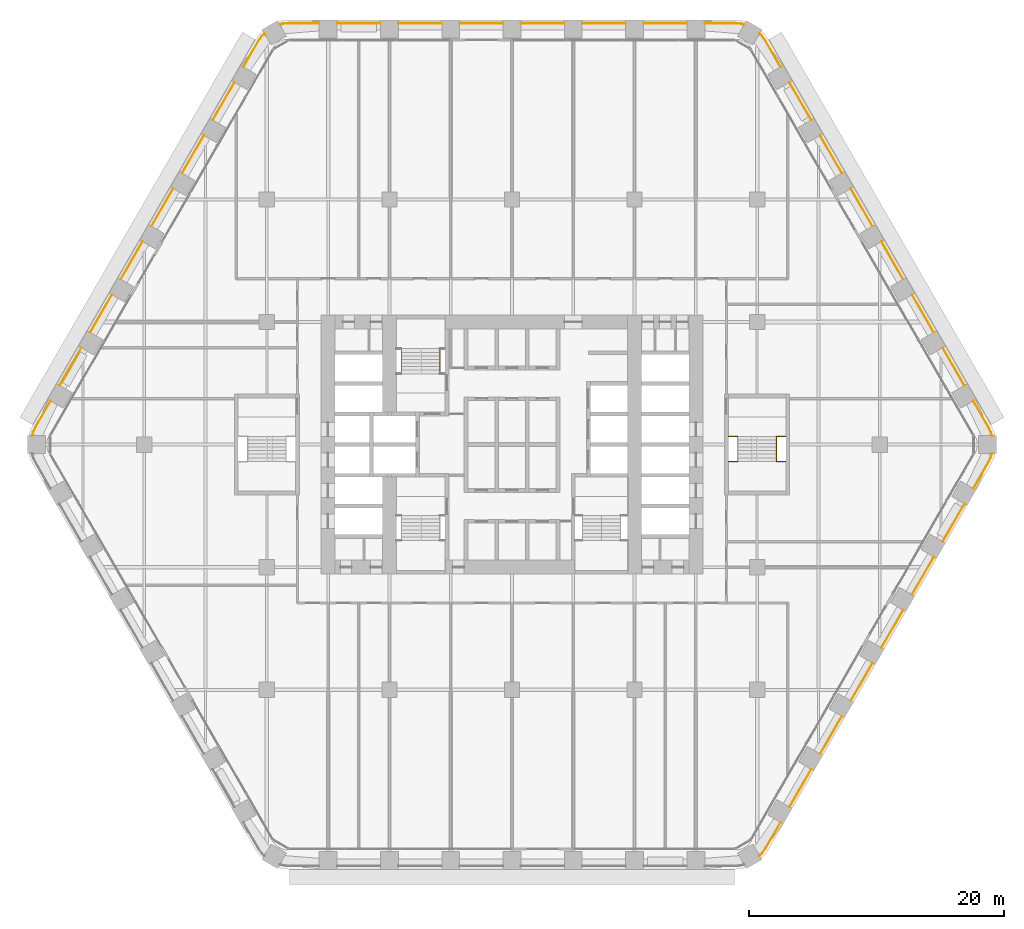
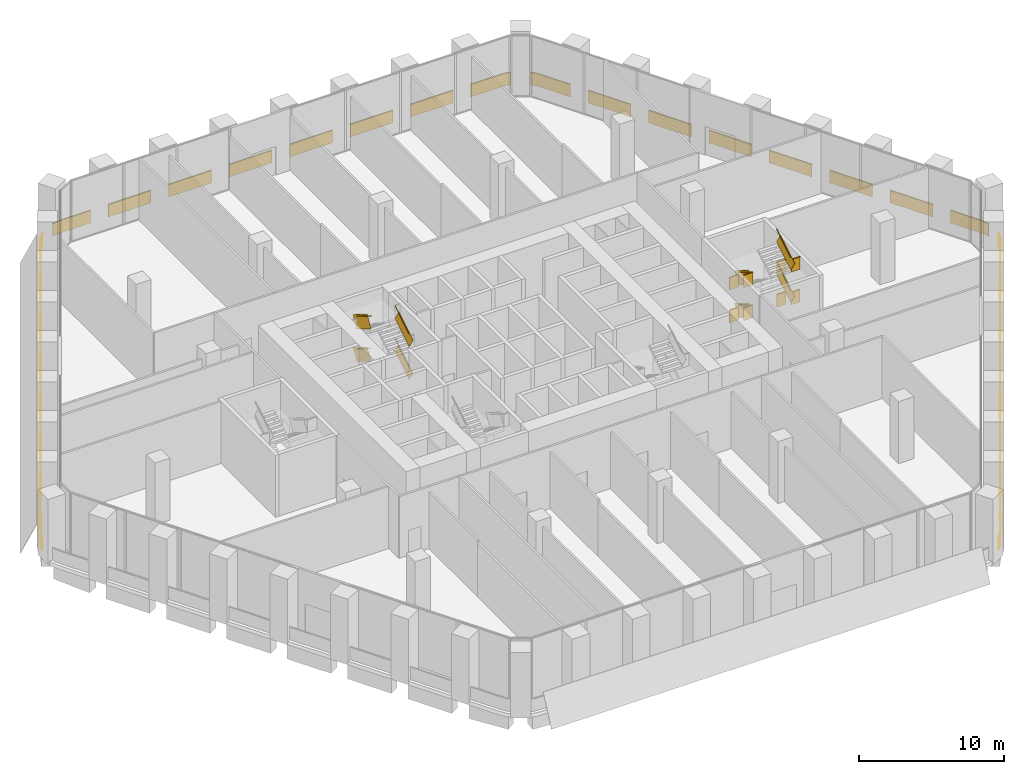
# One storey, part 27 of 27: 7 railings.
"""IFC4 building model written with IfcOpenShell, lengths in metres."""

import ifcopenshell
import ifcopenshell.guid

model = None  # the IFC model being written
_history = None  # IfcOwnerHistory: only IFC2X3 demands one
_inside = {}  # id of a spatial element -> (the spatial element, [elements in it])
_under = {}  # id of a project, library or spatial element -> (it, [spatial elements below it])
_declared = {}  # id of a project -> (the project, [libraries it declares])
_typed = {}  # id of a type object -> (the type object, [elements of that type])
_made_of = {}  # id of a material, layer set ... -> (it, [elements and type objects made of it])


def new_model(schema):
    """Start an empty IFC model of exactly this schema.

    Asked for "IFC4X3", IfcOpenShell would pick the latest addendum, in which some entities
    have other attributes; the version numbers below select the first issue.
    IFC2X3 requires an IfcOwnerHistory on every rooted entity: one is made here for all.
    """
    global model, _history
    if schema == "IFC4X3":
        model = ifcopenshell.file(schema_version=(4, 3, 0, 0))
    else:
        model = ifcopenshell.file(schema=schema)
    _inside.clear()
    _under.clear()
    _declared.clear()
    _typed.clear()
    _made_of.clear()
    _history = None
    if model.schema == "IFC2X3":
        org = make("IfcOrganization", Name="unknown")
        user = make(
            "IfcPersonAndOrganization",
            ThePerson=make("IfcPerson", FamilyName="unknown"),
            TheOrganization=org,
        )
        app = make(
            "IfcApplication",
            ApplicationDeveloper=org,
            Version="unknown",
            ApplicationFullName="unknown",
            ApplicationIdentifier="unknown",
        )
        _history = make(
            "IfcOwnerHistory",
            OwningUser=user,
            OwningApplication=app,
            ChangeAction="ADDED",
            CreationDate=0,
        )
    return model


def make(cls, **values):
    """One entity of the class cls with the attributes given. An attribute that is None is left unset."""
    return model.create_entity(
        cls, **{name: value for name, value in values.items() if value is not None}
    )


def rooted(cls, **values):
    """An entity with a GlobalId (a new one), such as an element, a storey or a relation."""
    return make(cls, GlobalId=ifcopenshell.guid.new(), OwnerHistory=_history, **values)


def si_unit(unit_type, name, prefix=None):
    """IfcSIUnit, for example si_unit("LENGTHUNIT", "METRE", prefix="MILLI")."""
    return make("IfcSIUnit", UnitType=unit_type, Prefix=prefix, Name=name)


def assignment(units):
    """IfcUnitAssignment: the units of a project."""
    return None if units is None else make("IfcUnitAssignment", Units=units)


def point(xyz):
    """IfcCartesianPoint."""
    return None if xyz is None else make("IfcCartesianPoint", Coordinates=xyz)


def direction(xyz):
    """IfcDirection."""
    return None if xyz is None else make("IfcDirection", DirectionRatios=xyz)


def frame(location, z_axis=None, x_axis=None):
    """IfcAxis2Placement3D, a coordinate frame: its origin and axes. An axis left out is left unset."""
    return make(
        "IfcAxis2Placement3D",
        Location=point(location),
        Axis=direction(z_axis),
        RefDirection=direction(x_axis),
    )


def frame_2d(location, x_axis=None):
    """IfcAxis2Placement2D, a coordinate frame in the plane: its origin and x axis."""
    return make(
        "IfcAxis2Placement2D", Location=point(location), RefDirection=direction(x_axis)
    )


def origin():
    """The frame at (0, 0, 0) with its axes left unset."""
    return frame((0.0, 0.0, 0.0))


def origin_2d():
    """The frame at (0, 0) in the plane with its x axis left unset."""
    return frame_2d((0.0, 0.0))


def place(relative_to, where):
    """IfcLocalPlacement: puts the frame where relative to a parent placement (None: the world)."""
    return make(
        "IfcLocalPlacement", PlacementRelTo=relative_to, RelativePlacement=where
    )


def context(
    kind, dimensions, precision=None, world=None, true_north=None, identifier=None
):
    """IfcGeometricRepresentationContext, for example the 3D "Model" context."""
    return make(
        "IfcGeometricRepresentationContext",
        ContextIdentifier=identifier,
        ContextType=kind,
        CoordinateSpaceDimension=dimensions,
        Precision=precision,
        WorldCoordinateSystem=world,
        TrueNorth=true_north,
    )


def subcontext(parent, identifier, kind, view, scale=None):
    """IfcGeometricRepresentationSubContext, for example "Body" below "Model"."""
    return make(
        "IfcGeometricRepresentationSubContext",
        ContextIdentifier=identifier,
        ContextType=kind,
        ParentContext=parent,
        TargetScale=scale,
        TargetView=view,
    )


def project(units=None, contexts=None):
    """IfcProject with its units and contexts."""
    return rooted(
        "IfcProject",
        Name="project",
        RepresentationContexts=contexts,
        UnitsInContext=assignment(units),
    )


def spatial(cls, under=None, at=None, **own):
    """A site, building, storey or space (cls), placed at a placement, below another one or the project."""
    s = rooted(cls, ObjectPlacement=at, **own)
    if under is not None:
        _under.setdefault(under.id(), (under, []))[1].append(s)
    return s


def profile(cls, at=None, kind="AREA", **sizes):
    """A parametric profile (cls). Its sizes go by their IFC names, for example OverallWidth=200.0."""
    return make(cls, ProfileType=kind, Position=at, **sizes)


def rectangle(**sizes):
    """IfcRectangleProfileDef."""
    return profile("IfcRectangleProfileDef", **sizes)


def extrude(swept, where, along, depth):
    """IfcExtrudedAreaSolid: the profile swept, set in the frame where, extruded along a direction by depth."""
    return make(
        "IfcExtrudedAreaSolid",
        SweptArea=swept,
        Position=where,
        ExtrudedDirection=direction(along),
        Depth=depth,
    )


def shape(context_of_items, identifier, shape_type, items):
    """IfcShapeRepresentation: the items that make up one representation, for example the "Body"."""
    return make(
        "IfcShapeRepresentation",
        ContextOfItems=context_of_items,
        RepresentationIdentifier=identifier,
        RepresentationType=shape_type,
        Items=items,
    )


def material(Name=None, Category=None):
    """IfcMaterial."""
    return make("IfcMaterial", Name=Name, Category=Category)


def made_of(thing, what):
    """Note that an element or type object is made of a material, layer set ...; save() writes the relation."""
    if what is not None:
        _made_of.setdefault(what.id(), (what, []))[1].append(thing)
    return thing


def type_object(cls, material=None, **own):
    """A type object (cls), such as IfcWallType, which elements share."""
    return made_of(rooted(cls, **own), material)


def element(
    cls,
    number,
    at=None,
    inside=None,
    cuts=None,
    type_object=None,
    material=None,
    context=None,
    identifier="Body",
    shape_type=None,
    held_by="IfcProductDefinitionShape",
    body=None,
    shapes=None,
    **own,
):
    """One element of the class cls, such as IfcWall. Its Tag is "e" and its number.

    at: its placement. inside: the storey or other place that contains it. cuts: it is an
    opening in that element (IfcRelVoidsElement). A single representation is given by context,
    identifier, shape_type and body (its items); several are given by shapes. held_by: the class
    of the entity that holds the representations. save() writes the other relations.
    """
    e = rooted(cls, Tag="e%d" % number, ObjectPlacement=at, **own)
    if body is not None:
        shapes = [shape(context, identifier, shape_type, body)]
    if shapes is not None:
        e.Representation = make(held_by, Representations=shapes)
    if inside is not None:
        _inside.setdefault(inside.id(), (inside, []))[1].append(e)
    if cuts is not None:
        rooted(
            "IfcRelVoidsElement", RelatingBuildingElement=cuts, RelatedOpeningElement=e
        )
    if type_object is not None:
        _typed.setdefault(type_object.id(), (type_object, []))[1].append(e)
    return made_of(e, material)


def aggregate(whole, parts):
    """IfcRelAggregates: a whole, such as a stair, and the parts it consists of."""
    return rooted("IfcRelAggregates", RelatingObject=whole, RelatedObjects=parts)


def save(model, path):
    """Write the relations noted so far, then the file.

    IfcRelAggregates (storeys below a building ...), IfcRelContainedInSpatialStructure (elements
    in a storey), IfcRelDefinesByType, IfcRelAssociatesMaterial and IfcRelDeclares: one each for
    every whole, place, type object, material and project.
    """
    for whole, parts in _under.values():
        aggregate(whole, parts)
    for where, things in _inside.values():
        rooted(
            "IfcRelContainedInSpatialStructure",
            RelatedElements=things,
            RelatingStructure=where,
        )
    for kind, things in _typed.values():
        rooted("IfcRelDefinesByType", RelatedObjects=things, RelatingType=kind)
    for what, things in _made_of.values():
        rooted("IfcRelAssociatesMaterial", RelatedObjects=things, RelatingMaterial=what)
    for by, libraries in _declared.values():
        rooted("IfcRelDeclares", RelatingContext=by, RelatedDefinitions=libraries)
    model.write(path)


model = new_model("IFC4")

# Units and contexts
model_context = context("Model", 3, precision=1e-05, world=origin(), true_north=direction((0.0, 1.0)))
body_context = subcontext(model_context, "Body", "Model", "MODEL_VIEW")
ifc_project = project(units=[si_unit("LENGTHUNIT", "METRE"), si_unit("AREAUNIT", "SQUARE_METRE"), si_unit("VOLUMEUNIT", "CUBIC_METRE"), si_unit("PLANEANGLEUNIT", "RADIAN"), si_unit("MASSUNIT", "GRAM", prefix="KILO")], contexts=[model_context])

# Site, building, storey
site_placement = place(None, origin())
site = spatial("IfcSite", under=ifc_project, at=site_placement, CompositionType="ELEMENT")
building_placement = place(site_placement, origin())
building = spatial("IfcBuilding", under=site, at=building_placement, Name="Kolab Exchange Tower", CompositionType="ELEMENT")
storey_placement = place(building_placement, frame((0.0, 0.0, 66.39990234375)))
storey = spatial("IfcBuildingStorey", under=building, at=storey_placement, Name="L12", CompositionType="ELEMENT", Elevation=66.39990234375)

# Railings
ifc_material_1 = material(Name="Stainless steel 316", Category="steel")
railing_type_1 = type_object("IfcRailingType", Name="GUARD 1100", PredefinedType="GUARDRAIL", material=ifc_material_1)
railing_1_placement = place(storey_placement, frame((-5.639892578125, 5.550048828125, 0.172119140625)))
element("IfcRailing", 1, at=railing_1_placement, inside=storey, type_object=railing_type_1, Name="Handrail guard ST1", PredefinedType="GUARDRAIL", context=body_context, shape_type="SweptSolid", body=[
    extrude(rectangle(XDim=0.05, YDim=0.05, at=origin_2d()), frame((0.0, 0.0, 1.0751953125), z_axis=(0.0, 0.852288308005, 0.523072308613), x_axis=(-1.0, 0.0, 0.0)), (0.0, 0.0, 1.0), 2.299560546875),
    extrude(rectangle(XDim=0.012, YDim=1.05009765625, at=frame_2d((0.0, 0.525146484375))), frame((0.0, 0.0, 0.0), z_axis=(0.0, 0.852288308005, 0.523072308613), x_axis=(-1.0, 0.0, 0.0)), (0.0, 0.0, 1.0), 2.299560546875),
    extrude(rectangle(XDim=0.05, YDim=0.05, at=origin_2d()), frame((-3.02001953125, 1.9599609375, 2.4501953125), z_axis=(0.0, -0.852288308005, 0.523072308613), x_axis=(1.0, 0.0, 0.0)), (0.0, 0.0, 1.0), 2.299560546875),
    extrude(rectangle(XDim=0.012, YDim=1.05009765625, at=frame_2d((0.0, 0.525146484375))), frame((-3.02001953125, 1.9599609375, 1.375), z_axis=(0.0, -0.852288308005, 0.523072308613), x_axis=(1.0, 0.0, 0.0)), (0.0, 0.0, 1.0), 2.299560546875),
    extrude(rectangle(XDim=0.05, YDim=0.05, at=origin_2d()), frame((0.0, 0.0, 3.8251953125), z_axis=(0.0, 0.852288308005, 0.523072308613), x_axis=(-1.0, 0.0, 0.0)), (0.0, 0.0, 1.0), 2.299560546875),
    extrude(rectangle(XDim=0.012, YDim=1.05009765625, at=frame_2d((0.0, 0.525146484375))), frame((0.0, 0.0, 2.75), z_axis=(0.0, 0.852288308005, 0.523072308613), x_axis=(-1.0, 0.0, 0.0)), (0.0, 0.0, 1.0), 2.299560546875),
    extrude(rectangle(XDim=0.05, YDim=0.05, at=origin_2d()), frame((-3.02001953125, 1.9599609375, 5.2001953125), z_axis=(0.0, -0.852288308005, 0.523072308613), x_axis=(1.0, 0.0, 0.0)), (0.0, 0.0, 1.0), 2.299560546875),
    extrude(rectangle(XDim=0.012, YDim=1.05009765625, at=frame_2d((0.0, 0.525146484375))), frame((-3.02001953125, 1.9599609375, 4.125), z_axis=(0.0, -0.852288308005, 0.523072308613), x_axis=(1.0, 0.0, 0.0)), (0.0, 0.0, 1.0), 2.299560546875),
])
railing_2_placement = place(storey_placement, frame((16.949951171875, 0.64990234375, 0.0)))
element("IfcRailing", 2, at=railing_2_placement, inside=storey, type_object=railing_type_1, Name="Guard ST4", PredefinedType="GUARDRAIL", context=body_context, shape_type="SweptSolid", body=[
    extrude(rectangle(XDim=0.05, YDim=0.05, at=origin_2d()), frame((0.0, 0.0, 1.0751953125), z_axis=(1.0, 0.0, 0.0), x_axis=(0.0, 1.0, 0.0)), (0.0, 0.0, 1.0), 0.739990234375),
    extrude(rectangle(XDim=0.012, YDim=1.05009765625, at=frame_2d((0.0, 0.525146484375))), frame((0.0, 0.0, 0.0), z_axis=(1.0, 0.0, 0.0), x_axis=(0.0, 1.0, 0.0)), (0.0, 0.0, 1.0), 0.739990234375),
    extrude(rectangle(XDim=0.05, YDim=0.05, at=origin_2d()), frame((3.760009765625, 0.0, 1.0751953125), z_axis=(1.0, 0.0, 0.0), x_axis=(0.0, 1.0, 0.0)), (0.0, 0.0, 1.0), 0.739990234375),
    extrude(rectangle(XDim=0.012, YDim=1.05009765625, at=frame_2d((0.0, 0.525146484375))), frame((3.760009765625, 0.0, 0.0), z_axis=(1.0, 0.0, 0.0), x_axis=(0.0, 1.0, 0.0)), (0.0, 0.0, 1.0), 0.739990234375),
    extrude(rectangle(XDim=0.05, YDim=0.05, at=origin_2d()), frame((0.0, -1.9599609375, 2.4501953125), z_axis=(1.0, 0.0, 0.0), x_axis=(0.0, 1.0, 0.0)), (0.0, 0.0, 1.0), 0.739990234375),
    extrude(rectangle(XDim=0.012, YDim=1.05009765625, at=frame_2d((0.0, 0.525146484375))), frame((0.0, -1.9599609375, 1.375), z_axis=(1.0, 0.0, 0.0), x_axis=(0.0, 1.0, 0.0)), (0.0, 0.0, 1.0), 0.739990234375),
    extrude(rectangle(XDim=0.05, YDim=0.05, at=origin_2d()), frame((3.760009765625, -1.9599609375, 2.4501953125), z_axis=(1.0, 0.0, 0.0), x_axis=(0.0, 1.0, 0.0)), (0.0, 0.0, 1.0), 0.739990234375),
    extrude(rectangle(XDim=0.012, YDim=1.05009765625, at=frame_2d((0.0, 0.525146484375))), frame((3.760009765625, -1.9599609375, 1.375), z_axis=(1.0, 0.0, 0.0), x_axis=(0.0, 1.0, 0.0)), (0.0, 0.0, 1.0), 0.739990234375),
    extrude(rectangle(XDim=0.05, YDim=0.05, at=origin_2d()), frame((0.0, 0.0, 3.8251953125), z_axis=(1.0, 0.0, 0.0), x_axis=(0.0, 1.0, 0.0)), (0.0, 0.0, 1.0), 0.739990234375),
    extrude(rectangle(XDim=0.012, YDim=1.05009765625, at=frame_2d((0.0, 0.525146484375))), frame((0.0, 0.0, 2.75), z_axis=(1.0, 0.0, 0.0), x_axis=(0.0, 1.0, 0.0)), (0.0, 0.0, 1.0), 0.739990234375),
    extrude(rectangle(XDim=0.05, YDim=0.05, at=origin_2d()), frame((3.760009765625, 0.0, 3.8251953125), z_axis=(1.0, 0.0, 0.0), x_axis=(0.0, 1.0, 0.0)), (0.0, 0.0, 1.0), 0.739990234375),
    extrude(rectangle(XDim=0.012, YDim=1.05009765625, at=frame_2d((0.0, 0.525146484375))), frame((3.760009765625, 0.0, 2.75), z_axis=(1.0, 0.0, 0.0), x_axis=(0.0, 1.0, 0.0)), (0.0, 0.0, 1.0), 0.739990234375),
    extrude(rectangle(XDim=0.05, YDim=0.05, at=origin_2d()), frame((0.0, -1.9599609375, 5.2001953125), z_axis=(1.0, 0.0, 0.0), x_axis=(0.0, 1.0, 0.0)), (0.0, 0.0, 1.0), 0.739990234375),
    extrude(rectangle(XDim=0.012, YDim=1.05009765625, at=frame_2d((0.0, 0.525146484375))), frame((0.0, -1.9599609375, 4.125), z_axis=(1.0, 0.0, 0.0), x_axis=(0.0, 1.0, 0.0)), (0.0, 0.0, 1.0), 0.739990234375),
    extrude(rectangle(XDim=0.05, YDim=0.05, at=origin_2d()), frame((3.760009765625, -1.9599609375, 5.2001953125), z_axis=(1.0, 0.0, 0.0), x_axis=(0.0, 1.0, 0.0)), (0.0, 0.0, 1.0), 0.739990234375),
    extrude(rectangle(XDim=0.012, YDim=1.05009765625, at=frame_2d((0.0, 0.525146484375))), frame((3.760009765625, -1.9599609375, 4.125), z_axis=(1.0, 0.0, 0.0), x_axis=(0.0, 1.0, 0.0)), (0.0, 0.0, 1.0), 0.739990234375),
])
railing_3_placement = place(storey_placement, frame((17.68994140625, 0.64990234375, 0.172119140625)))
element("IfcRailing", 3, at=railing_3_placement, inside=storey, type_object=railing_type_1, Name="Handrail guard ST4", PredefinedType="GUARDRAIL", context=body_context, shape_type="SweptSolid", body=[
    extrude(rectangle(XDim=0.05, YDim=0.05, at=origin_2d()), frame((0.0, 0.0, 1.0751953125), z_axis=(0.0, -0.852288308005, 0.523072308613), x_axis=(1.0, 0.0, 0.0)), (0.0, 0.0, 1.0), 2.299560546875),
    extrude(rectangle(XDim=0.012, YDim=1.05009765625, at=frame_2d((0.0, 0.525146484375))), frame((0.0, 0.0, 0.0), z_axis=(0.0, -0.852288308005, 0.523072308613), x_axis=(1.0, 0.0, 0.0)), (0.0, 0.0, 1.0), 2.299560546875),
    extrude(rectangle(XDim=0.05, YDim=0.05, at=origin_2d()), frame((3.02001953125, -1.9599609375, 2.4501953125), z_axis=(0.0, 0.852288308005, 0.523072308613), x_axis=(-1.0, 0.0, 0.0)), (0.0, 0.0, 1.0), 2.299560546875),
    extrude(rectangle(XDim=0.012, YDim=1.05009765625, at=frame_2d((0.0, 0.525146484375))), frame((3.02001953125, -1.9599609375, 1.375), z_axis=(0.0, 0.852288308005, 0.523072308613), x_axis=(-1.0, 0.0, 0.0)), (0.0, 0.0, 1.0), 2.299560546875),
    extrude(rectangle(XDim=0.05, YDim=0.05, at=origin_2d()), frame((0.0, 0.0, 3.8251953125), z_axis=(0.0, -0.852288308005, 0.523072308613), x_axis=(1.0, 0.0, 0.0)), (0.0, 0.0, 1.0), 2.299560546875),
    extrude(rectangle(XDim=0.012, YDim=1.05009765625, at=frame_2d((0.0, 0.525146484375))), frame((0.0, 0.0, 2.75), z_axis=(0.0, -0.852288308005, 0.523072308613), x_axis=(1.0, 0.0, 0.0)), (0.0, 0.0, 1.0), 2.299560546875),
    extrude(rectangle(XDim=0.05, YDim=0.05, at=origin_2d()), frame((3.02001953125, -1.9599609375, 5.2001953125), z_axis=(0.0, 0.852288308005, 0.523072308613), x_axis=(-1.0, 0.0, 0.0)), (0.0, 0.0, 1.0), 2.299560546875),
    extrude(rectangle(XDim=0.012, YDim=1.05009765625, at=frame_2d((0.0, 0.525146484375))), frame((3.02001953125, -1.9599609375, 4.125), z_axis=(0.0, 0.852288308005, 0.523072308613), x_axis=(-1.0, 0.0, 0.0)), (0.0, 0.0, 1.0), 2.299560546875),
])
ifc_material_2 = material(Name="Steel S235", Category="steel")
railing_type_2 = type_object("IfcRailingType", Name="GUARD 1100 GLASS BALUSTRADE AND STEEL TOP RAIL", PredefinedType="GUARDRAIL", material=ifc_material_2)
railing_4_placement = place(storey_placement, frame((18.1953125, 32.896728515625, 0.0)))
element("IfcRailing", 4, at=railing_4_placement, inside=storey, type_object=railing_type_2, Name="Guard", PredefinedType="GUARDRAIL", context=body_context, shape_type="SweptSolid", body=[
    extrude(rectangle(XDim=0.05, YDim=0.05, at=origin_2d()), frame((0.0, 0.0, 1.0751953125), z_axis=(-0.965952265455, 0.258720352624, 0.0), x_axis=(-0.258720352624, -0.965952265455, 0.0)), (0.0, 0.0, 1.0), 0.258544921875),
    extrude(rectangle(XDim=0.012, YDim=1.05009765625, at=frame_2d((0.0, 0.525146484375))), frame((0.0, 0.0, 0.0), z_axis=(-0.965952265455, 0.258720352624, 0.0), x_axis=(-0.258720352624, -0.965952265455, 0.0)), (0.0, 0.0, 1.0), 0.258544921875),
    extrude(rectangle(XDim=0.05, YDim=0.05, at=origin_2d()), frame((-0.249755859375, 0.06689453125, 1.0751953125), z_axis=(-0.996200348447, 0.087091134757, 0.0), x_axis=(-0.087091134757, -0.996200348447, 0.0)), (0.0, 0.0, 1.0), 0.479248046875),
    extrude(rectangle(XDim=0.012, YDim=1.05009765625, at=frame_2d((0.0, 0.525146484375))), frame((-0.249755859375, 0.06689453125, 0.0), z_axis=(-0.996200348447, 0.087091134757, 0.0), x_axis=(-0.087091134757, -0.996200348447, 0.0)), (0.0, 0.0, 1.0), 0.479248046875),
    extrude(rectangle(XDim=0.05, YDim=0.05, at=origin_2d()), frame((-0.727294921875, 0.108642578125, 1.0751953125), z_axis=(-1.0, 0.0, 0.0), x_axis=(0.0, -1.0, 0.0)), (0.0, 0.0, 1.0), 2.367919921875),
    extrude(rectangle(XDim=0.012, YDim=1.05009765625, at=frame_2d((0.0, 0.525146484375))), frame((-0.727294921875, 0.108642578125, 0.0), z_axis=(-1.0, 0.0, 0.0), x_axis=(0.0, -1.0, 0.0)), (0.0, 0.0, 1.0), 2.367919921875),
    extrude(rectangle(XDim=0.05, YDim=0.05, at=origin_2d()), frame((-4.495361328125, 0.108642578125, 1.0751953125), z_axis=(-1.0, 0.0, 0.0), x_axis=(0.0, -1.0, 0.0)), (0.0, 0.0, 1.0), 3.39990234375),
    extrude(rectangle(XDim=0.012, YDim=1.05009765625, at=frame_2d((0.0, 0.525146484375))), frame((-4.495361328125, 0.108642578125, 0.0), z_axis=(-1.0, 0.0, 0.0), x_axis=(0.0, -1.0, 0.0)), (0.0, 0.0, 1.0), 3.39990234375),
    extrude(rectangle(XDim=0.05, YDim=0.05, at=origin_2d()), frame((-9.29541015625, 0.108642578125, 1.0751953125), z_axis=(-1.0, 0.0, 0.0), x_axis=(0.0, -1.0, 0.0)), (0.0, 0.0, 1.0), 3.39990234375),
    extrude(rectangle(XDim=0.012, YDim=1.05009765625, at=frame_2d((0.0, 0.525146484375))), frame((-9.29541015625, 0.108642578125, 0.0), z_axis=(-1.0, 0.0, 0.0), x_axis=(0.0, -1.0, 0.0)), (0.0, 0.0, 1.0), 3.39990234375),
    extrude(rectangle(XDim=0.05, YDim=0.05, at=origin_2d()), frame((-14.09521484375, 0.108642578125, 1.0751953125), z_axis=(-1.0, 0.0, 0.0), x_axis=(0.0, -1.0, 0.0)), (0.0, 0.0, 1.0), 3.400146484375),
    extrude(rectangle(XDim=0.012, YDim=1.05009765625, at=frame_2d((0.0, 0.525146484375))), frame((-14.09521484375, 0.108642578125, 0.0), z_axis=(-1.0, 0.0, 0.0), x_axis=(0.0, -1.0, 0.0)), (0.0, 0.0, 1.0), 3.400146484375),
    extrude(rectangle(XDim=0.05, YDim=0.05, at=origin_2d()), frame((-18.895263671875, 0.108642578125, 1.0751953125), z_axis=(-1.0, 0.0, 0.0), x_axis=(0.0, -1.0, 0.0)), (0.0, 0.0, 1.0), 3.400146484375),
    extrude(rectangle(XDim=0.012, YDim=1.05009765625, at=frame_2d((0.0, 0.525146484375))), frame((-18.895263671875, 0.108642578125, 0.0), z_axis=(-1.0, 0.0, 0.0), x_axis=(0.0, -1.0, 0.0)), (0.0, 0.0, 1.0), 3.400146484375),
    extrude(rectangle(XDim=0.05, YDim=0.05, at=origin_2d()), frame((-23.6953125, 0.108642578125, 1.0751953125), z_axis=(-1.0, 0.0, 0.0), x_axis=(0.0, -1.0, 0.0)), (0.0, 0.0, 1.0), 3.39990234375),
    extrude(rectangle(XDim=0.012, YDim=1.05009765625, at=frame_2d((0.0, 0.525146484375))), frame((-23.6953125, 0.108642578125, 0.0), z_axis=(-1.0, 0.0, 0.0), x_axis=(0.0, -1.0, 0.0)), (0.0, 0.0, 1.0), 3.39990234375),
    extrude(rectangle(XDim=0.05, YDim=0.05, at=origin_2d()), frame((-28.495361328125, 0.108642578125, 1.0751953125), z_axis=(-1.0, 0.0, 0.0), x_axis=(0.0, -1.0, 0.0)), (0.0, 0.0, 1.0), 3.39990234375),
    extrude(rectangle(XDim=0.012, YDim=1.05009765625, at=frame_2d((0.0, 0.525146484375))), frame((-28.495361328125, 0.108642578125, 0.0), z_axis=(-1.0, 0.0, 0.0), x_axis=(0.0, -1.0, 0.0)), (0.0, 0.0, 1.0), 3.39990234375),
    extrude(rectangle(XDim=0.05, YDim=0.05, at=origin_2d()), frame((-33.29541015625, 0.108642578125, 1.0751953125), z_axis=(-1.0, 0.0, 0.0), x_axis=(0.0, -1.0, 0.0)), (0.0, 0.0, 1.0), 2.367919921875),
    extrude(rectangle(XDim=0.012, YDim=1.05009765625, at=frame_2d((0.0, 0.525146484375))), frame((-33.29541015625, 0.108642578125, 0.0), z_axis=(-1.0, 0.0, 0.0), x_axis=(0.0, -1.0, 0.0)), (0.0, 0.0, 1.0), 2.367919921875),
    extrude(rectangle(XDim=0.05, YDim=0.05, at=origin_2d()), frame((-35.663330078125, 0.108642578125, 1.0751953125), z_axis=(-0.996200348447, -0.087091134757, 0.0), x_axis=(0.087091134757, -0.996200348447, 0.0)), (0.0, 0.0, 1.0), 0.479248046875),
    extrude(rectangle(XDim=0.012, YDim=1.05009765625, at=frame_2d((0.0, 0.525146484375))), frame((-35.663330078125, 0.108642578125, 0.0), z_axis=(-0.996200348447, -0.087091134757, 0.0), x_axis=(0.087091134757, -0.996200348447, 0.0)), (0.0, 0.0, 1.0), 0.479248046875),
    extrude(rectangle(XDim=0.05, YDim=0.05, at=origin_2d()), frame((-36.140869140625, 0.06689453125, 1.0751953125), z_axis=(-0.965952265455, -0.258720352624, 0.0), x_axis=(0.258720352624, -0.965952265455, 0.0)), (0.0, 0.0, 1.0), 0.258544921875),
    extrude(rectangle(XDim=0.012, YDim=1.05009765625, at=frame_2d((0.0, 0.525146484375))), frame((-36.140869140625, 0.06689453125, 0.0), z_axis=(-0.965952265455, -0.258720352624, 0.0), x_axis=(0.258720352624, -0.965952265455, 0.0)), (0.0, 0.0, 1.0), 0.258544921875),
])
railing_5_placement = place(storey_placement, frame((37.5869140625, 0.690673828125, 0.0)))
element("IfcRailing", 5, at=railing_5_placement, inside=storey, type_object=railing_type_2, Name="Guard", PredefinedType="GUARDRAIL", context=body_context, shape_type="SweptSolid", body=[
    extrude(rectangle(XDim=0.05, YDim=0.05, at=origin_2d()), frame((0.0, 0.0, 1.0751953125), z_axis=(-0.258484584798, 0.966015382601, 0.0), x_axis=(-0.966015382601, -0.258484584798, 0.0)), (0.0, 0.0, 1.0), 0.2587890625),
    extrude(rectangle(XDim=0.012, YDim=1.05009765625, at=frame_2d((0.0, 0.525146484375))), frame((0.0, 0.0, 0.0), z_axis=(-0.258484584798, 0.966015382601, 0.0), x_axis=(-0.966015382601, -0.258484584798, 0.0)), (0.0, 0.0, 1.0), 0.2587890625),
    extrude(rectangle(XDim=0.05, YDim=0.05, at=origin_2d()), frame((-0.06689453125, 0.25, 1.0751953125), z_axis=(-0.422801802984, 0.906222177721, 0.0), x_axis=(-0.906222177721, -0.422801802984, 0.0)), (0.0, 0.0, 1.0), 0.479248046875),
    extrude(rectangle(XDim=0.012, YDim=1.05009765625, at=frame_2d((0.0, 0.525146484375))), frame((-0.06689453125, 0.25, 0.0), z_axis=(-0.422801802984, 0.906222177721, 0.0), x_axis=(-0.906222177721, -0.422801802984, 0.0)), (0.0, 0.0, 1.0), 0.479248046875),
    extrude(rectangle(XDim=0.05, YDim=0.05, at=origin_2d()), frame((-0.26953125, 0.684326171875, 1.0751953125), z_axis=(-0.499942602326, 0.866058539811, 0.0), x_axis=(-0.866058539811, -0.499942602326, 0.0)), (0.0, 0.0, 1.0), 2.367919921875),
    extrude(rectangle(XDim=0.012, YDim=1.05009765625, at=frame_2d((0.0, 0.525146484375))), frame((-0.26953125, 0.684326171875, 0.0), z_axis=(-0.499942602326, 0.866058539811, 0.0), x_axis=(-0.866058539811, -0.499942602326, 0.0)), (0.0, 0.0, 1.0), 2.367919921875),
    extrude(rectangle(XDim=0.05, YDim=0.05, at=origin_2d()), frame((-2.1533203125, 3.947509765625, 1.0751953125), z_axis=(-0.500062241894, 0.865989465428, 0.0), x_axis=(-0.865989465428, -0.500062241894, 0.0)), (0.0, 0.0, 1.0), 3.39990234375),
    extrude(rectangle(XDim=0.012, YDim=1.05009765625, at=frame_2d((0.0, 0.525146484375))), frame((-2.1533203125, 3.947509765625, 0.0), z_axis=(-0.500062241894, 0.865989465428, 0.0), x_axis=(-0.865989465428, -0.500062241894, 0.0)), (0.0, 0.0, 1.0), 3.39990234375),
    extrude(rectangle(XDim=0.05, YDim=0.05, at=origin_2d()), frame((-4.553466796875, 8.1044921875, 1.0751953125), z_axis=(-0.500008388397, 0.866020560687, 0.0), x_axis=(-0.866020560687, -0.500008388397, 0.0)), (0.0, 0.0, 1.0), 3.39990234375),
    extrude(rectangle(XDim=0.012, YDim=1.05009765625, at=frame_2d((0.0, 0.525146484375))), frame((-4.553466796875, 8.1044921875, 0.0), z_axis=(-0.500008388397, 0.866020560687, 0.0), x_axis=(-0.866020560687, -0.500008388397, 0.0)), (0.0, 0.0, 1.0), 3.39990234375),
    extrude(rectangle(XDim=0.05, YDim=0.05, at=origin_2d()), frame((-6.953369140625, 12.26123046875, 1.0751953125), z_axis=(-0.499977295307, 0.866038511948, 0.0), x_axis=(-0.866038511948, -0.499977295307, 0.0)), (0.0, 0.0, 1.0), 3.400146484375),
    extrude(rectangle(XDim=0.012, YDim=1.05009765625, at=frame_2d((0.0, 0.525146484375))), frame((-6.953369140625, 12.26123046875, 0.0), z_axis=(-0.499977295307, 0.866038511948, 0.0), x_axis=(-0.866038511948, -0.499977295307, 0.0)), (0.0, 0.0, 1.0), 3.400146484375),
    extrude(rectangle(XDim=0.05, YDim=0.05, at=origin_2d()), frame((-9.353515625, 16.418212890625, 1.0751953125), z_axis=(-0.499977295307, 0.866038511948, 0.0), x_axis=(-0.866038511948, -0.499977295307, 0.0)), (0.0, 0.0, 1.0), 3.400146484375),
    extrude(rectangle(XDim=0.012, YDim=1.05009765625, at=frame_2d((0.0, 0.525146484375))), frame((-9.353515625, 16.418212890625, 0.0), z_axis=(-0.499977295307, 0.866038511948, 0.0), x_axis=(-0.866038511948, -0.499977295307, 0.0)), (0.0, 0.0, 1.0), 3.400146484375),
    extrude(rectangle(XDim=0.05, YDim=0.05, at=origin_2d()), frame((-11.75341796875, 20.5751953125, 1.0751953125), z_axis=(-0.500008388397, 0.866020560687, 0.0), x_axis=(-0.866020560687, -0.500008388397, 0.0)), (0.0, 0.0, 1.0), 3.39990234375),
    extrude(rectangle(XDim=0.012, YDim=1.05009765625, at=frame_2d((0.0, 0.525146484375))), frame((-11.75341796875, 20.5751953125, 0.0), z_axis=(-0.500008388397, 0.866020560687, 0.0), x_axis=(-0.866020560687, -0.500008388397, 0.0)), (0.0, 0.0, 1.0), 3.39990234375),
    extrude(rectangle(XDim=0.05, YDim=0.05, at=origin_2d()), frame((-14.1533203125, 24.732177734375, 1.0751953125), z_axis=(-0.500062241894, 0.865989465428, 0.0), x_axis=(-0.865989465428, -0.500062241894, 0.0)), (0.0, 0.0, 1.0), 3.39990234375),
    extrude(rectangle(XDim=0.012, YDim=1.05009765625, at=frame_2d((0.0, 0.525146484375))), frame((-14.1533203125, 24.732177734375, 0.0), z_axis=(-0.500062241894, 0.865989465428, 0.0), x_axis=(-0.865989465428, -0.500062241894, 0.0)), (0.0, 0.0, 1.0), 3.39990234375),
    extrude(rectangle(XDim=0.05, YDim=0.05, at=origin_2d()), frame((-16.553466796875, 28.888916015625, 1.0751953125), z_axis=(-0.499942602326, 0.866058539811, 0.0), x_axis=(-0.866058539811, -0.499942602326, 0.0)), (0.0, 0.0, 1.0), 2.367919921875),
    extrude(rectangle(XDim=0.012, YDim=1.05009765625, at=frame_2d((0.0, 0.525146484375))), frame((-16.553466796875, 28.888916015625, 0.0), z_axis=(-0.499942602326, 0.866058539811, 0.0), x_axis=(-0.866058539811, -0.499942602326, 0.0)), (0.0, 0.0, 1.0), 2.367919921875),
    extrude(rectangle(XDim=0.05, YDim=0.05, at=origin_2d()), frame((-17.7373046875, 30.939697265625, 1.0751953125), z_axis=(-0.573940749815, 0.818896828485, 0.0), x_axis=(-0.818896828485, -0.573940749815, 0.0)), (0.0, 0.0, 1.0), 0.4794921875),
    extrude(rectangle(XDim=0.012, YDim=1.05009765625, at=frame_2d((0.0, 0.525146484375))), frame((-17.7373046875, 30.939697265625, 0.0), z_axis=(-0.573940749815, 0.818896828485, 0.0), x_axis=(-0.818896828485, -0.573940749815, 0.0)), (0.0, 0.0, 1.0), 0.4794921875),
    extrude(rectangle(XDim=0.05, YDim=0.05, at=origin_2d()), frame((-18.012451171875, 31.332275390625, 1.0751953125), z_axis=(-0.706634904947, 0.707578342737, 0.0), x_axis=(-0.707578342737, -0.706634904947, 0.0)), (0.0, 0.0, 1.0), 0.2587890625),
    extrude(rectangle(XDim=0.012, YDim=1.05009765625, at=frame_2d((0.0, 0.525146484375))), frame((-18.012451171875, 31.332275390625, 0.0), z_axis=(-0.706634904947, 0.707578342737, 0.0), x_axis=(-0.707578342737, -0.706634904947, 0.0)), (0.0, 0.0, 1.0), 0.2587890625),
])
railing_6_placement = place(storey_placement, frame((19.3916015625, -32.2060546875, 0.0)))
element("IfcRailing", 6, at=railing_6_placement, inside=storey, type_object=railing_type_2, Name="Guard", PredefinedType="GUARDRAIL", context=body_context, shape_type="SweptSolid", body=[
    extrude(rectangle(XDim=0.05, YDim=0.05, at=origin_2d()), frame((0.0, 0.0, 1.0751953125), z_axis=(0.706634904947, 0.707578342737, 0.0), x_axis=(-0.707578342737, 0.706634904947, 0.0)), (0.0, 0.0, 1.0), 0.2587890625),
    extrude(rectangle(XDim=0.012, YDim=1.05009765625, at=frame_2d((0.0, 0.525146484375))), frame((0.0, 0.0, 0.0), z_axis=(0.706634904947, 0.707578342737, 0.0), x_axis=(-0.707578342737, 0.706634904947, 0.0)), (0.0, 0.0, 1.0), 0.2587890625),
    extrude(rectangle(XDim=0.05, YDim=0.05, at=origin_2d()), frame((0.182861328125, 0.18310546875, 1.0751953125), z_axis=(0.573940749815, 0.818896828485, 0.0), x_axis=(-0.818896828485, 0.573940749815, 0.0)), (0.0, 0.0, 1.0), 0.4794921875),
    extrude(rectangle(XDim=0.012, YDim=1.05009765625, at=frame_2d((0.0, 0.525146484375))), frame((0.182861328125, 0.18310546875, 0.0), z_axis=(0.573940749815, 0.818896828485, 0.0), x_axis=(-0.818896828485, 0.573940749815, 0.0)), (0.0, 0.0, 1.0), 0.4794921875),
    extrude(rectangle(XDim=0.05, YDim=0.05, at=origin_2d()), frame((0.4580078125, 0.57568359375, 1.0751953125), z_axis=(0.499942602326, 0.866058539811, 0.0), x_axis=(-0.866058539811, 0.499942602326, 0.0)), (0.0, 0.0, 1.0), 2.367919921875),
    extrude(rectangle(XDim=0.012, YDim=1.05009765625, at=frame_2d((0.0, 0.525146484375))), frame((0.4580078125, 0.57568359375, 0.0), z_axis=(0.499942602326, 0.866058539811, 0.0), x_axis=(-0.866058539811, 0.499942602326, 0.0)), (0.0, 0.0, 1.0), 2.367919921875),
    extrude(rectangle(XDim=0.05, YDim=0.05, at=origin_2d()), frame((2.341796875, 3.8388671875, 1.0751953125), z_axis=(0.500062241894, 0.865989465428, 0.0), x_axis=(-0.865989465428, 0.500062241894, 0.0)), (0.0, 0.0, 1.0), 3.39990234375),
    extrude(rectangle(XDim=0.012, YDim=1.05009765625, at=frame_2d((0.0, 0.525146484375))), frame((2.341796875, 3.8388671875, 0.0), z_axis=(0.500062241894, 0.865989465428, 0.0), x_axis=(-0.865989465428, 0.500062241894, 0.0)), (0.0, 0.0, 1.0), 3.39990234375),
    extrude(rectangle(XDim=0.05, YDim=0.05, at=origin_2d()), frame((4.741943359375, 7.995849609375, 1.0751953125), z_axis=(0.500008388397, 0.866020560687, 0.0), x_axis=(-0.866020560687, 0.500008388397, 0.0)), (0.0, 0.0, 1.0), 3.39990234375),
    extrude(rectangle(XDim=0.012, YDim=1.05009765625, at=frame_2d((0.0, 0.525146484375))), frame((4.741943359375, 7.995849609375, 0.0), z_axis=(0.500008388397, 0.866020560687, 0.0), x_axis=(-0.866020560687, 0.500008388397, 0.0)), (0.0, 0.0, 1.0), 3.39990234375),
    extrude(rectangle(XDim=0.05, YDim=0.05, at=origin_2d()), frame((7.141845703125, 12.152587890625, 1.0751953125), z_axis=(0.499977295307, 0.866038511948, 0.0), x_axis=(-0.866038511948, 0.499977295307, 0.0)), (0.0, 0.0, 1.0), 3.400146484375),
    extrude(rectangle(XDim=0.012, YDim=1.05009765625, at=frame_2d((0.0, 0.525146484375))), frame((7.141845703125, 12.152587890625, 0.0), z_axis=(0.499977295307, 0.866038511948, 0.0), x_axis=(-0.866038511948, 0.499977295307, 0.0)), (0.0, 0.0, 1.0), 3.400146484375),
    extrude(rectangle(XDim=0.05, YDim=0.05, at=origin_2d()), frame((9.5419921875, 16.3095703125, 1.0751953125), z_axis=(0.499977295307, 0.866038511948, 0.0), x_axis=(-0.866038511948, 0.499977295307, 0.0)), (0.0, 0.0, 1.0), 3.400146484375),
    extrude(rectangle(XDim=0.012, YDim=1.05009765625, at=frame_2d((0.0, 0.525146484375))), frame((9.5419921875, 16.3095703125, 0.0), z_axis=(0.499977295307, 0.866038511948, 0.0), x_axis=(-0.866038511948, 0.499977295307, 0.0)), (0.0, 0.0, 1.0), 3.400146484375),
    extrude(rectangle(XDim=0.05, YDim=0.05, at=origin_2d()), frame((11.94189453125, 20.466552734375, 1.0751953125), z_axis=(0.500008388397, 0.866020560687, 0.0), x_axis=(-0.866020560687, 0.500008388397, 0.0)), (0.0, 0.0, 1.0), 3.39990234375),
    extrude(rectangle(XDim=0.012, YDim=1.05009765625, at=frame_2d((0.0, 0.525146484375))), frame((11.94189453125, 20.466552734375, 0.0), z_axis=(0.500008388397, 0.866020560687, 0.0), x_axis=(-0.866020560687, 0.500008388397, 0.0)), (0.0, 0.0, 1.0), 3.39990234375),
    extrude(rectangle(XDim=0.05, YDim=0.05, at=origin_2d()), frame((14.341796875, 24.62353515625, 1.0751953125), z_axis=(0.500062241894, 0.865989465428, 0.0), x_axis=(-0.865989465428, 0.500062241894, 0.0)), (0.0, 0.0, 1.0), 3.39990234375),
    extrude(rectangle(XDim=0.012, YDim=1.05009765625, at=frame_2d((0.0, 0.525146484375))), frame((14.341796875, 24.62353515625, 0.0), z_axis=(0.500062241894, 0.865989465428, 0.0), x_axis=(-0.865989465428, 0.500062241894, 0.0)), (0.0, 0.0, 1.0), 3.39990234375),
    extrude(rectangle(XDim=0.05, YDim=0.05, at=origin_2d()), frame((16.741943359375, 28.7802734375, 1.0751953125), z_axis=(0.499942602326, 0.866058539811, 0.0), x_axis=(-0.866058539811, 0.499942602326, 0.0)), (0.0, 0.0, 1.0), 2.367919921875),
    extrude(rectangle(XDim=0.012, YDim=1.05009765625, at=frame_2d((0.0, 0.525146484375))), frame((16.741943359375, 28.7802734375, 0.0), z_axis=(0.499942602326, 0.866058539811, 0.0), x_axis=(-0.866058539811, 0.499942602326, 0.0)), (0.0, 0.0, 1.0), 2.367919921875),
    extrude(rectangle(XDim=0.05, YDim=0.05, at=origin_2d()), frame((17.92578125, 30.8310546875, 1.0751953125), z_axis=(0.422801802984, 0.906222177721, 0.0), x_axis=(-0.906222177721, 0.422801802984, 0.0)), (0.0, 0.0, 1.0), 0.479248046875),
    extrude(rectangle(XDim=0.012, YDim=1.05009765625, at=frame_2d((0.0, 0.525146484375))), frame((17.92578125, 30.8310546875, 0.0), z_axis=(0.422801802984, 0.906222177721, 0.0), x_axis=(-0.906222177721, 0.422801802984, 0.0)), (0.0, 0.0, 1.0), 0.479248046875),
    extrude(rectangle(XDim=0.05, YDim=0.05, at=origin_2d()), frame((18.12841796875, 31.265380859375, 1.0751953125), z_axis=(0.258484584798, 0.966015382601, 0.0), x_axis=(-0.966015382601, 0.258484584798, 0.0)), (0.0, 0.0, 1.0), 0.2587890625),
    extrude(rectangle(XDim=0.012, YDim=1.05009765625, at=frame_2d((0.0, 0.525146484375))), frame((18.12841796875, 31.265380859375, 0.0), z_axis=(0.258484584798, 0.966015382601, 0.0), x_axis=(-0.966015382601, 0.258484584798, 0.0)), (0.0, 0.0, 1.0), 0.2587890625),
])
railing_7_placement = place(storey_placement, frame((-19.3916015625, 32.2060546875, 0.0)))
element("IfcRailing", 7, at=railing_7_placement, inside=storey, type_object=railing_type_2, Name="Guard", PredefinedType="GUARDRAIL", context=body_context, shape_type="SweptSolid", body=[
    extrude(rectangle(XDim=0.05, YDim=0.05, at=origin_2d()), frame((0.0, 0.0, 1.0751953125), z_axis=(-0.706634904947, -0.707578342737, 0.0), x_axis=(0.707578342737, -0.706634904947, 0.0)), (0.0, 0.0, 1.0), 0.2587890625),
    extrude(rectangle(XDim=0.012, YDim=1.05009765625, at=frame_2d((0.0, 0.525146484375))), frame((0.0, 0.0, 0.0), z_axis=(-0.706634904947, -0.707578342737, 0.0), x_axis=(0.707578342737, -0.706634904947, 0.0)), (0.0, 0.0, 1.0), 0.2587890625),
    extrude(rectangle(XDim=0.05, YDim=0.05, at=origin_2d()), frame((-0.182861328125, -0.18310546875, 1.0751953125), z_axis=(-0.573940749815, -0.818896828485, 0.0), x_axis=(0.818896828485, -0.573940749815, 0.0)), (0.0, 0.0, 1.0), 0.4794921875),
    extrude(rectangle(XDim=0.012, YDim=1.05009765625, at=frame_2d((0.0, 0.525146484375))), frame((-0.182861328125, -0.18310546875, 0.0), z_axis=(-0.573940749815, -0.818896828485, 0.0), x_axis=(0.818896828485, -0.573940749815, 0.0)), (0.0, 0.0, 1.0), 0.4794921875),
    extrude(rectangle(XDim=0.05, YDim=0.05, at=origin_2d()), frame((-0.4580078125, -0.57568359375, 1.0751953125), z_axis=(-0.499942602326, -0.866058539811, 0.0), x_axis=(0.866058539811, -0.499942602326, 0.0)), (0.0, 0.0, 1.0), 2.367919921875),
    extrude(rectangle(XDim=0.012, YDim=1.05009765625, at=frame_2d((0.0, 0.525146484375))), frame((-0.4580078125, -0.57568359375, 0.0), z_axis=(-0.499942602326, -0.866058539811, 0.0), x_axis=(0.866058539811, -0.499942602326, 0.0)), (0.0, 0.0, 1.0), 2.367919921875),
    extrude(rectangle(XDim=0.05, YDim=0.05, at=origin_2d()), frame((-2.341796875, -3.8388671875, 1.0751953125), z_axis=(-0.500062241894, -0.865989465428, 0.0), x_axis=(0.865989465428, -0.500062241894, 0.0)), (0.0, 0.0, 1.0), 3.39990234375),
    extrude(rectangle(XDim=0.012, YDim=1.05009765625, at=frame_2d((0.0, 0.525146484375))), frame((-2.341796875, -3.8388671875, 0.0), z_axis=(-0.500062241894, -0.865989465428, 0.0), x_axis=(0.865989465428, -0.500062241894, 0.0)), (0.0, 0.0, 1.0), 3.39990234375),
    extrude(rectangle(XDim=0.05, YDim=0.05, at=origin_2d()), frame((-4.741943359375, -7.995849609375, 1.0751953125), z_axis=(-0.500008388397, -0.866020560687, 0.0), x_axis=(0.866020560687, -0.500008388397, 0.0)), (0.0, 0.0, 1.0), 3.39990234375),
    extrude(rectangle(XDim=0.012, YDim=1.05009765625, at=frame_2d((0.0, 0.525146484375))), frame((-4.741943359375, -7.995849609375, 0.0), z_axis=(-0.500008388397, -0.866020560687, 0.0), x_axis=(0.866020560687, -0.500008388397, 0.0)), (0.0, 0.0, 1.0), 3.39990234375),
    extrude(rectangle(XDim=0.05, YDim=0.05, at=origin_2d()), frame((-7.141845703125, -12.152587890625, 1.0751953125), z_axis=(-0.499977295307, -0.866038511948, 0.0), x_axis=(0.866038511948, -0.499977295307, 0.0)), (0.0, 0.0, 1.0), 3.400146484375),
    extrude(rectangle(XDim=0.012, YDim=1.05009765625, at=frame_2d((0.0, 0.525146484375))), frame((-7.141845703125, -12.152587890625, 0.0), z_axis=(-0.499977295307, -0.866038511948, 0.0), x_axis=(0.866038511948, -0.499977295307, 0.0)), (0.0, 0.0, 1.0), 3.400146484375),
    extrude(rectangle(XDim=0.05, YDim=0.05, at=origin_2d()), frame((-9.5419921875, -16.3095703125, 1.0751953125), z_axis=(-0.499977295307, -0.866038511948, 0.0), x_axis=(0.866038511948, -0.499977295307, 0.0)), (0.0, 0.0, 1.0), 3.400146484375),
    extrude(rectangle(XDim=0.012, YDim=1.05009765625, at=frame_2d((0.0, 0.525146484375))), frame((-9.5419921875, -16.3095703125, 0.0), z_axis=(-0.499977295307, -0.866038511948, 0.0), x_axis=(0.866038511948, -0.499977295307, 0.0)), (0.0, 0.0, 1.0), 3.400146484375),
    extrude(rectangle(XDim=0.05, YDim=0.05, at=origin_2d()), frame((-11.94189453125, -20.466552734375, 1.0751953125), z_axis=(-0.500008388397, -0.866020560687, 0.0), x_axis=(0.866020560687, -0.500008388397, 0.0)), (0.0, 0.0, 1.0), 3.39990234375),
    extrude(rectangle(XDim=0.012, YDim=1.05009765625, at=frame_2d((0.0, 0.525146484375))), frame((-11.94189453125, -20.466552734375, 0.0), z_axis=(-0.500008388397, -0.866020560687, 0.0), x_axis=(0.866020560687, -0.500008388397, 0.0)), (0.0, 0.0, 1.0), 3.39990234375),
    extrude(rectangle(XDim=0.05, YDim=0.05, at=origin_2d()), frame((-14.341796875, -24.62353515625, 1.0751953125), z_axis=(-0.500062241894, -0.865989465428, 0.0), x_axis=(0.865989465428, -0.500062241894, 0.0)), (0.0, 0.0, 1.0), 3.39990234375),
    extrude(rectangle(XDim=0.012, YDim=1.05009765625, at=frame_2d((0.0, 0.525146484375))), frame((-14.341796875, -24.62353515625, 0.0), z_axis=(-0.500062241894, -0.865989465428, 0.0), x_axis=(0.865989465428, -0.500062241894, 0.0)), (0.0, 0.0, 1.0), 3.39990234375),
    extrude(rectangle(XDim=0.05, YDim=0.05, at=origin_2d()), frame((-16.741943359375, -28.7802734375, 1.0751953125), z_axis=(-0.499942602326, -0.866058539811, 0.0), x_axis=(0.866058539811, -0.499942602326, 0.0)), (0.0, 0.0, 1.0), 2.367919921875),
    extrude(rectangle(XDim=0.012, YDim=1.05009765625, at=frame_2d((0.0, 0.525146484375))), frame((-16.741943359375, -28.7802734375, 0.0), z_axis=(-0.499942602326, -0.866058539811, 0.0), x_axis=(0.866058539811, -0.499942602326, 0.0)), (0.0, 0.0, 1.0), 2.367919921875),
    extrude(rectangle(XDim=0.05, YDim=0.05, at=origin_2d()), frame((-17.92578125, -30.8310546875, 1.0751953125), z_axis=(-0.422801802984, -0.906222177721, 0.0), x_axis=(0.906222177721, -0.422801802984, 0.0)), (0.0, 0.0, 1.0), 0.479248046875),
    extrude(rectangle(XDim=0.012, YDim=1.05009765625, at=frame_2d((0.0, 0.525146484375))), frame((-17.92578125, -30.8310546875, 0.0), z_axis=(-0.422801802984, -0.906222177721, 0.0), x_axis=(0.906222177721, -0.422801802984, 0.0)), (0.0, 0.0, 1.0), 0.479248046875),
    extrude(rectangle(XDim=0.05, YDim=0.05, at=origin_2d()), frame((-18.12841796875, -31.265380859375, 1.0751953125), z_axis=(-0.258484584798, -0.966015382601, 0.0), x_axis=(0.966015382601, -0.258484584798, 0.0)), (0.0, 0.0, 1.0), 0.2587890625),
    extrude(rectangle(XDim=0.012, YDim=1.05009765625, at=frame_2d((0.0, 0.525146484375))), frame((-18.12841796875, -31.265380859375, 0.0), z_axis=(-0.258484584798, -0.966015382601, 0.0), x_axis=(0.966015382601, -0.258484584798, 0.0)), (0.0, 0.0, 1.0), 0.2587890625),
])

save(model, "model.ifc")
